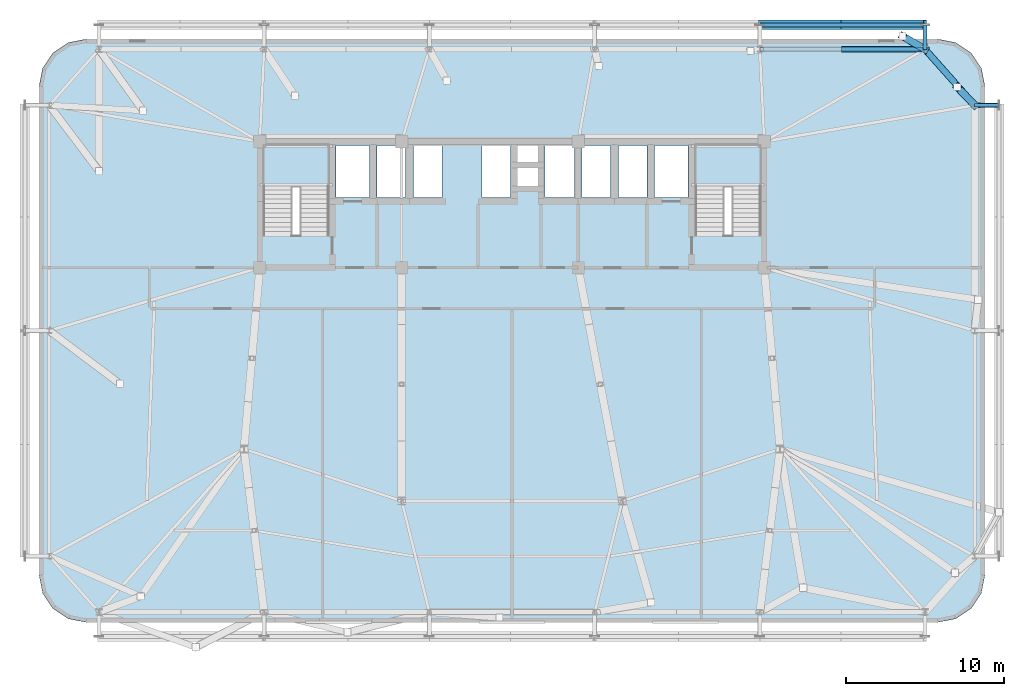
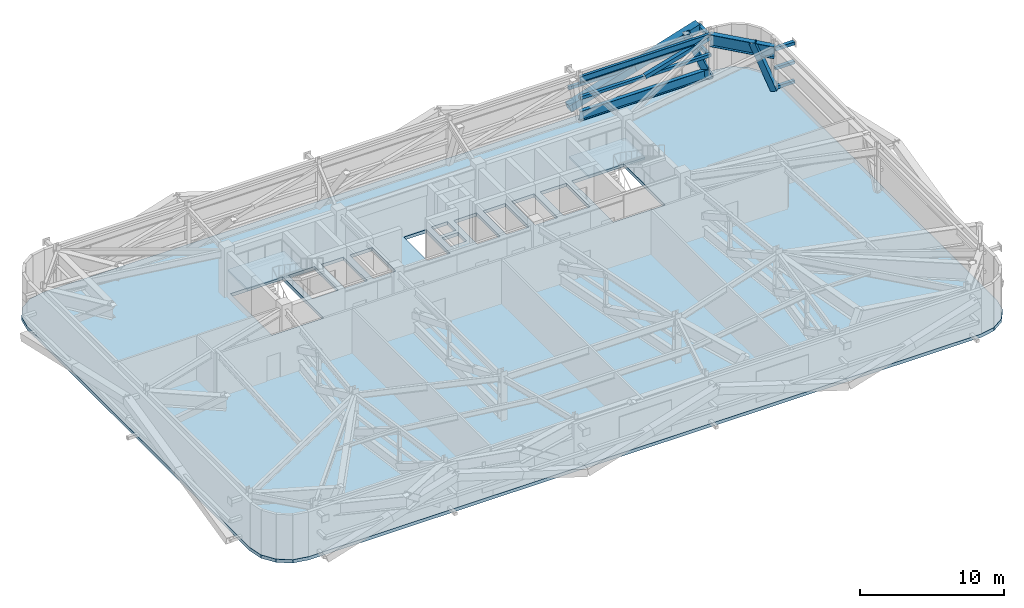
# One storey, part 12 of 24: 14 members, 3 slabs, 2 beams, 2 elements without a shape of their own.
"""IFC4 building model written with IfcOpenShell, lengths in metres."""

import ifcopenshell
import ifcopenshell.guid

model = None  # the IFC model being written
_history = None  # IfcOwnerHistory: only IFC2X3 demands one
_inside = {}  # id of a spatial element -> (the spatial element, [elements in it])
_under = {}  # id of a project, library or spatial element -> (it, [spatial elements below it])
_declared = {}  # id of a project -> (the project, [libraries it declares])
_typed = {}  # id of a type object -> (the type object, [elements of that type])
_made_of = {}  # id of a material, layer set ... -> (it, [elements and type objects made of it])


def new_model(schema):
    """Start an empty IFC model of exactly this schema.

    Asked for "IFC4X3", IfcOpenShell would pick the latest addendum, in which some entities
    have other attributes; the version numbers below select the first issue.
    IFC2X3 requires an IfcOwnerHistory on every rooted entity: one is made here for all.
    """
    global model, _history
    if schema == "IFC4X3":
        model = ifcopenshell.file(schema_version=(4, 3, 0, 0))
    else:
        model = ifcopenshell.file(schema=schema)
    _inside.clear()
    _under.clear()
    _declared.clear()
    _typed.clear()
    _made_of.clear()
    _history = None
    if model.schema == "IFC2X3":
        org = make("IfcOrganization", Name="unknown")
        user = make(
            "IfcPersonAndOrganization",
            ThePerson=make("IfcPerson", FamilyName="unknown"),
            TheOrganization=org,
        )
        app = make(
            "IfcApplication",
            ApplicationDeveloper=org,
            Version="unknown",
            ApplicationFullName="unknown",
            ApplicationIdentifier="unknown",
        )
        _history = make(
            "IfcOwnerHistory",
            OwningUser=user,
            OwningApplication=app,
            ChangeAction="ADDED",
            CreationDate=0,
        )
    return model


def make(cls, **values):
    """One entity of the class cls with the attributes given. An attribute that is None is left unset."""
    return model.create_entity(
        cls, **{name: value for name, value in values.items() if value is not None}
    )


def rooted(cls, **values):
    """An entity with a GlobalId (a new one), such as an element, a storey or a relation."""
    return make(cls, GlobalId=ifcopenshell.guid.new(), OwnerHistory=_history, **values)


def si_unit(unit_type, name, prefix=None):
    """IfcSIUnit, for example si_unit("LENGTHUNIT", "METRE", prefix="MILLI")."""
    return make("IfcSIUnit", UnitType=unit_type, Prefix=prefix, Name=name)


def assignment(units):
    """IfcUnitAssignment: the units of a project."""
    return None if units is None else make("IfcUnitAssignment", Units=units)


def point(xyz):
    """IfcCartesianPoint."""
    return None if xyz is None else make("IfcCartesianPoint", Coordinates=xyz)


def direction(xyz):
    """IfcDirection."""
    return None if xyz is None else make("IfcDirection", DirectionRatios=xyz)


def frame(location, z_axis=None, x_axis=None):
    """IfcAxis2Placement3D, a coordinate frame: its origin and axes. An axis left out is left unset."""
    return make(
        "IfcAxis2Placement3D",
        Location=point(location),
        Axis=direction(z_axis),
        RefDirection=direction(x_axis),
    )


def frame_2d(location, x_axis=None):
    """IfcAxis2Placement2D, a coordinate frame in the plane: its origin and x axis."""
    return make(
        "IfcAxis2Placement2D", Location=point(location), RefDirection=direction(x_axis)
    )


def origin():
    """The frame at (0, 0, 0) with its axes left unset."""
    return frame((0.0, 0.0, 0.0))


def origin_2d():
    """The frame at (0, 0) in the plane with its x axis left unset."""
    return frame_2d((0.0, 0.0))


def place(relative_to, where):
    """IfcLocalPlacement: puts the frame where relative to a parent placement (None: the world)."""
    return make(
        "IfcLocalPlacement", PlacementRelTo=relative_to, RelativePlacement=where
    )


def context(
    kind, dimensions, precision=None, world=None, true_north=None, identifier=None
):
    """IfcGeometricRepresentationContext, for example the 3D "Model" context."""
    return make(
        "IfcGeometricRepresentationContext",
        ContextIdentifier=identifier,
        ContextType=kind,
        CoordinateSpaceDimension=dimensions,
        Precision=precision,
        WorldCoordinateSystem=world,
        TrueNorth=true_north,
    )


def subcontext(parent, identifier, kind, view, scale=None):
    """IfcGeometricRepresentationSubContext, for example "Body" below "Model"."""
    return make(
        "IfcGeometricRepresentationSubContext",
        ContextIdentifier=identifier,
        ContextType=kind,
        ParentContext=parent,
        TargetScale=scale,
        TargetView=view,
    )


def project(units=None, contexts=None):
    """IfcProject with its units and contexts."""
    return rooted(
        "IfcProject",
        Name="project",
        RepresentationContexts=contexts,
        UnitsInContext=assignment(units),
    )


def spatial(cls, under=None, at=None, **own):
    """A site, building, storey or space (cls), placed at a placement, below another one or the project."""
    s = rooted(cls, ObjectPlacement=at, **own)
    if under is not None:
        _under.setdefault(under.id(), (under, []))[1].append(s)
    return s


def polyline(points):
    """IfcPolyline through the points."""
    return make("IfcPolyline", Points=[point(p) for p in points])


def profile(cls, at=None, kind="AREA", **sizes):
    """A parametric profile (cls). Its sizes go by their IFC names, for example OverallWidth=200.0."""
    return make(cls, ProfileType=kind, Position=at, **sizes)


def hollow_rectangle(**sizes):
    """IfcRectangleHollowProfileDef."""
    return profile("IfcRectangleHollowProfileDef", **sizes)


def i_section(**sizes):
    """IfcIShapeProfileDef."""
    return profile("IfcIShapeProfileDef", **sizes)


def outline(outer, holes=None, kind="AREA"):
    """IfcArbitraryClosedProfileDef: a profile drawn as a closed curve; with holes, ...WithVoids."""
    if holes is None:
        return make("IfcArbitraryClosedProfileDef", ProfileType=kind, OuterCurve=outer)
    return make(
        "IfcArbitraryProfileDefWithVoids",
        ProfileType=kind,
        OuterCurve=outer,
        InnerCurves=holes,
    )


def extrude(swept, where, along, depth):
    """IfcExtrudedAreaSolid: the profile swept, set in the frame where, extruded along a direction by depth."""
    return make(
        "IfcExtrudedAreaSolid",
        SweptArea=swept,
        Position=where,
        ExtrudedDirection=direction(along),
        Depth=depth,
    )


def shape(context_of_items, identifier, shape_type, items):
    """IfcShapeRepresentation: the items that make up one representation, for example the "Body"."""
    return make(
        "IfcShapeRepresentation",
        ContextOfItems=context_of_items,
        RepresentationIdentifier=identifier,
        RepresentationType=shape_type,
        Items=items,
    )


def source(mapping_origin, context_of_items, identifier, shape_type, items):
    """IfcRepresentationMap: a shape defined once, which mapped items show again and again."""
    return make(
        "IfcRepresentationMap",
        MappingOrigin=mapping_origin,
        MappedRepresentation=shape(context_of_items, identifier, shape_type, items),
    )


def transform(
    local_origin,
    x_axis=None,
    y_axis=None,
    z_axis=None,
    scale=None,
    scale2=None,
    scale3=None,
    uniform=True,
):
    """IfcCartesianTransformationOperator3D, or its non-uniform kind. x_axis, y_axis, z_axis: its Axis1, 2, 3."""
    if uniform:
        return make(
            "IfcCartesianTransformationOperator3D",
            Axis1=direction(x_axis),
            Axis2=direction(y_axis),
            LocalOrigin=point(local_origin),
            Scale=scale,
            Axis3=direction(z_axis),
        )
    return make(
        "IfcCartesianTransformationOperator3DnonUniform",
        Axis1=direction(x_axis),
        Axis2=direction(y_axis),
        LocalOrigin=point(local_origin),
        Scale=scale,
        Axis3=direction(z_axis),
        Scale2=scale2,
        Scale3=scale3,
    )


def mapped(mapping_source, mapping_target):
    """IfcMappedItem: shows the shape of a source again, moved by a transform."""
    return make(
        "IfcMappedItem", MappingSource=mapping_source, MappingTarget=mapping_target
    )


def material(Name=None, Category=None):
    """IfcMaterial."""
    return make("IfcMaterial", Name=Name, Category=Category)


def layer(
    of_material, thickness, ventilated=None, Name=None, Category=None, Priority=None
):
    """IfcMaterialLayer: one layer of a wall or slab, of a material (None: an air gap)."""
    return make(
        "IfcMaterialLayer",
        Material=of_material,
        LayerThickness=thickness,
        IsVentilated=ventilated,
        Name=Name,
        Category=Category,
        Priority=Priority,
    )


def layer_set(layers, Name=None):
    """IfcMaterialLayerSet."""
    return make("IfcMaterialLayerSet", MaterialLayers=layers, LayerSetName=Name)


def material_profile(
    of_material, cross_section, Name=None, Category=None, Priority=None
):
    """IfcMaterialProfile: a cross section and its material."""
    return make(
        "IfcMaterialProfile",
        Name=Name,
        Material=of_material,
        Profile=cross_section,
        Priority=Priority,
        Category=Category,
    )


def profile_set(profiles, Name=None, composite=None):
    """IfcMaterialProfileSet."""
    return make(
        "IfcMaterialProfileSet",
        Name=Name,
        MaterialProfiles=profiles,
        CompositeProfile=composite,
    )


def made_of(thing, what):
    """Note that an element or type object is made of a material, layer set ...; save() writes the relation."""
    if what is not None:
        _made_of.setdefault(what.id(), (what, []))[1].append(thing)
    return thing


def type_object(cls, material=None, **own):
    """A type object (cls), such as IfcWallType, which elements share."""
    return made_of(rooted(cls, **own), material)


def element(
    cls,
    number,
    at=None,
    inside=None,
    cuts=None,
    type_object=None,
    material=None,
    context=None,
    identifier="Body",
    shape_type=None,
    held_by="IfcProductDefinitionShape",
    body=None,
    shapes=None,
    **own,
):
    """One element of the class cls, such as IfcWall. Its Tag is "e" and its number.

    at: its placement. inside: the storey or other place that contains it. cuts: it is an
    opening in that element (IfcRelVoidsElement). A single representation is given by context,
    identifier, shape_type and body (its items); several are given by shapes. held_by: the class
    of the entity that holds the representations. save() writes the other relations.
    """
    e = rooted(cls, Tag="e%d" % number, ObjectPlacement=at, **own)
    if body is not None:
        shapes = [shape(context, identifier, shape_type, body)]
    if shapes is not None:
        e.Representation = make(held_by, Representations=shapes)
    if inside is not None:
        _inside.setdefault(inside.id(), (inside, []))[1].append(e)
    if cuts is not None:
        rooted(
            "IfcRelVoidsElement", RelatingBuildingElement=cuts, RelatedOpeningElement=e
        )
    if type_object is not None:
        _typed.setdefault(type_object.id(), (type_object, []))[1].append(e)
    return made_of(e, material)


def aggregate(whole, parts):
    """IfcRelAggregates: a whole, such as a stair, and the parts it consists of."""
    return rooted("IfcRelAggregates", RelatingObject=whole, RelatedObjects=parts)


def save(model, path):
    """Write the relations noted so far, then the file.

    IfcRelAggregates (storeys below a building ...), IfcRelContainedInSpatialStructure (elements
    in a storey), IfcRelDefinesByType, IfcRelAssociatesMaterial and IfcRelDeclares: one each for
    every whole, place, type object, material and project.
    """
    for whole, parts in _under.values():
        aggregate(whole, parts)
    for where, things in _inside.values():
        rooted(
            "IfcRelContainedInSpatialStructure",
            RelatedElements=things,
            RelatingStructure=where,
        )
    for kind, things in _typed.values():
        rooted("IfcRelDefinesByType", RelatedObjects=things, RelatingType=kind)
    for what, things in _made_of.values():
        rooted("IfcRelAssociatesMaterial", RelatedObjects=things, RelatingMaterial=what)
    for by, libraries in _declared.values():
        rooted("IfcRelDeclares", RelatingContext=by, RelatedDefinitions=libraries)
    model.write(path)


model = new_model("IFC4")

# Units and contexts
model_context = context("Model", 3, precision=1e-05, world=origin(), true_north=direction((0.0, 1.0)))
body_context = subcontext(model_context, "Body", "Model", "MODEL_VIEW")
ifc_project = project(units=[si_unit("LENGTHUNIT", "METRE"), si_unit("AREAUNIT", "SQUARE_METRE"), si_unit("VOLUMEUNIT", "CUBIC_METRE"), si_unit("PLANEANGLEUNIT", "RADIAN"), si_unit("MASSUNIT", "GRAM", prefix="KILO")], contexts=[model_context])

# Site, building, storey
site_placement = place(None, origin())
site = spatial("IfcSite", under=ifc_project, at=site_placement, CompositionType="ELEMENT")
building_placement = place(site_placement, origin())
building = spatial("IfcBuilding", under=site, at=building_placement, Name="Taldren Reach Tower", CompositionType="ELEMENT")
storey_placement = place(building_placement, frame((0.0, 0.0, 60.89990234375)))
storey = spatial("IfcBuildingStorey", under=building, at=storey_placement, Name="L18", CompositionType="ELEMENT", Elevation=60.89990234375)

# Beam
ifc_material_1 = material(Name="Steel Gr 350 (350PLUS)", Category="steel")
ifc_material_profile_1 = material_profile(ifc_material_1, i_section(OverallWidth=0.208984375, OverallDepth=0.528076171875, WebThickness=0.009521484375, FlangeThickness=0.01318359375, at=origin_2d()), Name="530UB82.0")
ifc_profile_set_1 = profile_set([ifc_material_profile_1], Name="Steel Gr 350 (350PLUS)")
beam_type_1 = type_object("IfcBeamType", Name="SP-UB530B", PredefinedType="SPANDREL", material=ifc_profile_set_1)
shared_shape_1 = source(origin(), body_context, "Body", "SweptSolid", [
    extrude(i_section(OverallWidth=0.208984375, OverallDepth=0.528076171875, WebThickness=0.009521484375, FlangeThickness=0.01318359375, at=origin_2d()), origin(), (0.0, 0.0, 1.0), 10.47998046875),
])
beam_1_placement = place(storey_placement, frame((61.199951171875, 37.85009765625, 3.51611328125), z_axis=(-1.0, 0.0, 0.0), x_axis=(0.0, -1.0, 0.0)))
element("IfcBeam", 1, at=beam_1_placement, inside=storey, type_object=beam_type_1, Name="Perimeter spandrel B1 N6-N5 L18", PredefinedType="SPANDREL", context=body_context, shape_type="MappedRepresentation", body=[
    mapped(shared_shape_1, transform((0.0, 0.0, 0.0), scale=1.0)),
])

# Members
ifc_material_2 = material(Name="Steel Gr 450 (C450L0)", Category="steel")
ifc_material_profile_2 = material_profile(ifc_material_2, hollow_rectangle(XDim=0.27490234375, YDim=0.27490234375, WallThickness=0.00927734375, at=origin_2d()), Name="275x275x9.3SHS")
ifc_profile_set_2 = profile_set([ifc_material_profile_2], Name="Steel Gr 450 (C450L0)")
member_type_1 = type_object("IfcMemberType", Name="MB-TIE273", PredefinedType="STRUT", material=ifc_profile_set_2)
shared_shape_2 = source(origin(), body_context, "Body", "SweptSolid", [
    extrude(hollow_rectangle(XDim=0.27490234375, YDim=0.27490234375, WallThickness=0.00927734375, at=origin_2d()), origin(), (0.0, 0.0, 1.0), 1.5498046875),
])
for number, where, z_axis, x_axis, name in (
    (2, (61.199951171875, 37.85009765625, 3.5), (0.0, 1.0, 0.0), (-1.0, 0.0, 0.0), "Exoskeleton diaphragm tie strut B1-N6 L18"),
    (3, (64.35009765625, 34.300048828125, 3.5), (1.0, 0.0, 0.0), (0.0, 1.0, 0.0), "Exoskeleton diaphragm tie strut B1-E3 L18"),
):
    element("IfcMember", number, at=place(storey_placement, frame(where, z_axis=z_axis, x_axis=x_axis)), inside=storey, type_object=member_type_1, Name=name, PredefinedType="STRUT", context=body_context, shape_type="MappedRepresentation", body=[
        mapped(shared_shape_2, transform((0.0, 0.0, 0.0), scale=1.0)),
    ])
ifc_material_3 = material(Name="Steel Gr 350 (C350L0)", Category="steel")
ifc_material_profile_3 = material_profile(ifc_material_3, hollow_rectangle(XDim=0.25, YDim=0.25, WallThickness=0.010009765625, at=origin_2d()), Name="250x250x10.0SHS")
ifc_profile_set_3 = profile_set([ifc_material_profile_3], Name="Steel Gr 350 (C350L0)")
member_type_2 = type_object("IfcMemberType", Name="MB-POST250", PredefinedType="POST", material=ifc_profile_set_3)
shared_shape_3 = source(origin(), body_context, "Body", "SweptSolid", [
    extrude(hollow_rectangle(XDim=0.25, YDim=0.25, WallThickness=0.010009765625, at=origin_2d()), origin(), (0.0, 0.0, 1.0), 10.47998046875),
])
for number, where, z_axis, x_axis, name in (
    (4, (50.719970703125, 37.85009765625, 1.955078125), (1.0, 0.0, 0.0), (0.0, 1.0, 0.0), "Belt Truss Transfer Mid Chord N5 L18"),
    (5, (50.719970703125, 39.39990234375, 1.860107421875), (1.0, 0.0, 0.0), (0.0, 1.0, 0.0), "Exoskeleton mid-height ring chord B1-N5 L18"),
):
    element("IfcMember", number, at=place(storey_placement, frame(where, z_axis=z_axis, x_axis=x_axis)), inside=storey, type_object=member_type_2, Name=name, PredefinedType="POST", context=body_context, shape_type="MappedRepresentation", body=[
        mapped(shared_shape_3, transform((0.0, 0.0, 0.0), scale=1.0)),
    ])
shared_shape_4 = source(origin(), body_context, "Body", "SweptSolid", [
    extrude(hollow_rectangle(XDim=0.25, YDim=0.25, WallThickness=0.010009765625, at=origin_2d()), origin(), (0.0, 0.0, 1.0), 1.5498046875),
])
for number, where, z_axis, x_axis, name in (
    (6, (61.199951171875, 37.85009765625, 0.22021484375), (0.0, 1.0, 0.0), (-1.0, 0.0, 0.0), "Exoskeleton base diaphragm tie strut B1-N6 L18"),
    (7, (64.35009765625, 34.300048828125, 0.22021484375), (1.0, 0.0, 0.0), (0.0, 1.0, 0.0), "Exoskeleton base diaphragm tie strut B1-E3 L18"),
    (8, (61.199951171875, 37.85009765625, 1.860107421875), (0.0, 1.0, 0.0), (-1.0, 0.0, 0.0), "Exoskeleton mid-tier diaphragm tie B1-N6 L18"),
    (9, (64.35009765625, 34.300048828125, 1.860107421875), (1.0, 0.0, 0.0), (0.0, 1.0, 0.0), "Exoskeleton mid-tier diaphragm tie B1-E3 L18"),
):
    element("IfcMember", number, at=place(storey_placement, frame(where, z_axis=z_axis, x_axis=x_axis)), inside=storey, type_object=member_type_2, Name=name, PredefinedType="POST", context=body_context, shape_type="MappedRepresentation", body=[
        mapped(shared_shape_4, transform((0.0, 0.0, 0.0), scale=1.0)),
    ])

# Beam
ifc_material_profile_4 = material_profile(ifc_material_1, i_section(OverallWidth=0.39990234375, OverallDepth=1.02392578125, WebThickness=0.01611328125, FlangeThickness=0.031982421875, at=origin_2d()), Name="1000WB322")
ifc_profile_set_4 = profile_set([ifc_material_profile_4], Name="Steel Gr 350 (350PLUS)")
beam_type_2 = type_object("IfcBeamType", Name="BM-WB1000", PredefinedType="BEAM", material=ifc_profile_set_4)
shared_shape_5 = source(origin(), body_context, "Body", "SweptSolid", [
    extrude(i_section(OverallWidth=0.39990234375, OverallDepth=1.02392578125, WebThickness=0.01611328125, FlangeThickness=0.031982421875, at=origin_2d()), origin(), (0.0, 0.0, 1.0), 4.74609375),
])
beam_2_placement = place(storey_placement, frame((64.35009765625, 34.300048828125, 3.26806640625), z_axis=(-0.663721843779, 0.747979487747, 0.0), x_axis=(-0.747979487747, -0.663721843779, 0.0)))
element("IfcBeam", 10, at=beam_2_placement, inside=storey, type_object=beam_type_2, Name="Belt Truss Transfer Tie Girder TG-B2-N6B on L18", PredefinedType="SPANDREL", context=body_context, shape_type="MappedRepresentation", body=[
    mapped(shared_shape_5, transform((0.0, 0.0, 0.0), scale=1.0)),
])

# Members
ifc_material_profile_5 = material_profile(ifc_material_2, hollow_rectangle(XDim=0.4599609375, YDim=0.4599609375, WallThickness=0.01611328125, at=origin_2d()), Name="460x460x16.0SHS")
ifc_profile_set_5 = profile_set([ifc_material_profile_5], Name="Steel Gr 450 (C450L0)")
member_type_3 = type_object("IfcMemberType", Name="MB-EXO457", PredefinedType="BRACE", material=ifc_profile_set_5)
shared_shape_6 = source(origin(), body_context, "Body", "SweptSolid", [
    extrude(hollow_rectangle(XDim=0.4599609375, YDim=0.4599609375, WallThickness=0.01611328125, at=origin_2d()), origin(), (0.0, 0.0, 1.0), 4.10888671875),
])
member_1_placement = place(storey_placement, frame((61.199951171875, 37.85009765625, 0.02001953125), z_axis=(-0.3490202375, 0.201961148666, 0.915093748337), x_axis=(-0.500844580232, -0.86553723574, 0.0)))
element("IfcMember", 11, at=member_1_placement, inside=storey, type_object=member_type_3, Name="Outrigger Belt Truss Transfer Strut TS-B2-N6 L18", PredefinedType="BRACE", context=body_context, shape_type="MappedRepresentation", body=[
    mapped(shared_shape_6, transform((0.0, 0.0, 0.0), scale=1.0)),
])
shared_shape_7 = source(origin(), body_context, "Body", "SweptSolid", [
    extrude(hollow_rectangle(XDim=0.4599609375, YDim=0.4599609375, WallThickness=0.01611328125, at=origin_2d()), origin(), (0.0, 0.0, 1.0), 4.0849609375),
])
member_2_placement = place(storey_placement, frame((64.35009765625, 34.300048828125, 0.02001953125), z_axis=(-0.269967415307, 0.282578246529, 0.920471145262), x_axis=(-0.723056889428, -0.690788487636, 0.0)))
element("IfcMember", 12, at=member_2_placement, inside=storey, type_object=member_type_3, Name="Outrigger Belt Truss Transfer Strut TS-B2-E3 L18", PredefinedType="BRACE", context=body_context, shape_type="MappedRepresentation", body=[
    mapped(shared_shape_7, transform((0.0, 0.0, 0.0), scale=1.0)),
])
ifc_material_profile_6 = material_profile(ifc_material_1, i_section(OverallWidth=0.300048828125, OverallDepth=0.81591796875, WebThickness=0.011962890625, FlangeThickness=0.02392578125, at=origin_2d()), Name="800WB192")
ifc_profile_set_6 = profile_set([ifc_material_profile_6], Name="Steel Gr 350 (350PLUS)")
member_type_4 = type_object("IfcMemberType", Name="MB-CH800", PredefinedType="CHORD", material=ifc_profile_set_6)
shared_shape_8 = source(origin(), body_context, "Body", "SweptSolid", [
    extrude(i_section(OverallWidth=0.300048828125, OverallDepth=0.81591796875, WebThickness=0.011962890625, FlangeThickness=0.02392578125, at=origin_2d()), origin(), (0.0, 0.0, 1.0), 10.47998046875),
])
member_3_placement = place(storey_placement, frame((50.719970703125, 37.85009765625, 0.4501953125), z_axis=(1.0, 0.0, 0.0), x_axis=(0.0, 1.0, 0.0)))
element("IfcMember", 13, at=member_3_placement, inside=storey, type_object=member_type_4, Name="Belt Truss Transfer Bottom Chord N5 L18", PredefinedType="CHORD", context=body_context, shape_type="MappedRepresentation", body=[
    mapped(shared_shape_8, transform((0.0, 0.0, 0.0), scale=1.0)),
])
ifc_material_profile_7 = material_profile(ifc_material_2, hollow_rectangle(XDim=0.324951171875, YDim=0.324951171875, WallThickness=0.0126953125, at=origin_2d()), Name="325x325x12.7SHS")
ifc_profile_set_7 = profile_set([ifc_material_profile_7], Name="Steel Gr 450 (C450L0)")
member_type_5 = type_object("IfcMemberType", Name="MB-BR324", PredefinedType="BRACE", material=ifc_profile_set_7)
shared_shape_9 = source(origin(), body_context, "Body", "SweptSolid", [
    extrude(hollow_rectangle(XDim=0.324951171875, YDim=0.324951171875, WallThickness=0.0126953125, at=origin_2d()), origin(), (0.0, 0.0, 1.0), 5.451904296875),
])
member_4_placement = place(storey_placement, frame((55.9599609375, 37.85009765625, 1.955078125), z_axis=(0.961136017712, 0.0, 0.27607527136), x_axis=(0.0, 1.0, 0.0)))
element("IfcMember", 14, at=member_4_placement, inside=storey, type_object=member_type_5, Name="Belt Truss Transfer Diagonal N5 L18", PredefinedType="BRACE", context=body_context, shape_type="MappedRepresentation", body=[
    mapped(shared_shape_9, transform((0.0, 0.0, 0.0), scale=1.0)),
])
ifc_material_profile_8 = material_profile(ifc_material_2, hollow_rectangle(XDim=0.614990234375, YDim=0.614990234375, WallThickness=0.02490234375, at=origin_2d()), Name="615x615x25.0SHS")
ifc_profile_set_8 = profile_set([ifc_material_profile_8], Name="Steel Gr 450 (C450L0)")
member_type_6 = type_object("IfcMemberType", Name="MB-EXO610", PredefinedType="BRACE", material=ifc_profile_set_8)
shared_shape_10 = source(origin(), body_context, "Body", "SweptSolid", [
    extrude(hollow_rectangle(XDim=0.614990234375, YDim=0.614990234375, WallThickness=0.02490234375, at=origin_2d()), origin(), (0.0, 0.0, 1.0), 5.49072265625),
])
for number, where, z_axis, x_axis, name in (
    (15, (50.719970703125, 39.39990234375, 0.22021484375), (0.954355677655, 0.0, 0.298672463626), (0.0, 1.0, 0.0), "Exoskeleton Diagrid Brace B1-N5 L18"),
    (16, (55.9599609375, 39.39990234375, 1.860107421875), (0.954355677655, 0.0, 0.298672463626), (0.0, 1.0, 0.0), "Exoskeleton Diagrid Brace B1-N5 L18"),
):
    element("IfcMember", number, at=place(storey_placement, frame(where, z_axis=z_axis, x_axis=x_axis)), inside=storey, type_object=member_type_6, Name=name, PredefinedType="BRACE", context=body_context, shape_type="MappedRepresentation", body=[
        mapped(shared_shape_10, transform((0.0, 0.0, 0.0), scale=1.0)),
    ])

# Slab
ifc_material_4 = material(Name="Concrete S50 (50 MPa)", Category="concrete")
ifc_layer_1 = layer(ifc_material_4, 0.280029296875)
ifc_layer_set_1 = layer_set([ifc_layer_1], Name="Concrete S50 (50 MPa)")
slab_type_1 = type_object("IfcSlabType", Name="SL-FLR-280", PredefinedType="FLOOR", material=ifc_layer_set_1)
slab_1_placement = place(storey_placement, frame((0.0, 0.0, -0.27978515625)))
element("IfcSlab", 17, at=slab_1_placement, inside=storey, type_object=slab_type_1, Name="Suspended floor slab L18", PredefinedType="FLOOR", context=body_context, shape_type="SweptSolid", body=[
    extrude(outline(polyline([(62.0, 1.5), (63.14794921875, 1.728271484375), (64.121337890625, 2.378662109375), (64.771728515625, 3.35205078125), (65.0, 4.5), (65.0, 35.5), (64.771728515625, 36.64794921875), (64.121337890625, 37.621337890625), (63.14794921875, 38.271728515625), (62.0, 38.5), (8.0, 38.5), (6.85205078125, 38.271728515625), (5.878662109375, 37.621337890625), (5.228271484375, 36.64794921875), (5.0, 35.5), (5.0, 4.5), (5.228271484375, 3.35205078125), (5.878662109375, 2.378662109375), (6.85205078125, 1.728271484375), (8.0, 1.5), (62.0, 1.5)]), holes=[polyline([(19.219970703125, 26.050048828125), (23.3798828125, 26.050048828125), (23.3798828125, 31.820068359375), (19.219970703125, 31.820068359375), (19.219970703125, 26.050048828125)]), polyline([(46.6201171875, 26.050048828125), (50.780029296875, 26.050048828125), (50.780029296875, 31.820068359375), (46.6201171875, 31.820068359375), (46.6201171875, 26.050048828125)]), polyline([(23.85009765625, 28.449951171875), (25.949951171875, 28.449951171875), (25.949951171875, 31.75), (23.85009765625, 31.75), (23.85009765625, 28.449951171875)]), polyline([(44.050048828125, 28.449951171875), (46.14990234375, 28.449951171875), (46.14990234375, 31.75), (44.050048828125, 31.75), (44.050048828125, 28.449951171875)]), polyline([(26.449951171875, 28.449951171875), (28.25, 28.449951171875), (28.25, 31.75), (26.449951171875, 31.75), (26.449951171875, 28.449951171875)]), polyline([(28.75, 28.449951171875), (30.550048828125, 28.449951171875), (30.550048828125, 31.75), (28.75, 31.75), (28.75, 28.449951171875)]), polyline([(33.10009765625, 28.449951171875), (34.89990234375, 28.449951171875), (34.89990234375, 31.75), (33.10009765625, 31.75), (33.10009765625, 28.449951171875)]), polyline([(37.10009765625, 28.449951171875), (38.949951171875, 28.449951171875), (38.949951171875, 31.75), (37.10009765625, 31.75), (37.10009765625, 28.449951171875)]), polyline([(39.449951171875, 28.449951171875), (41.25, 28.449951171875), (41.25, 31.75), (39.449951171875, 31.75), (39.449951171875, 28.449951171875)]), polyline([(41.75, 28.449951171875), (43.550048828125, 28.449951171875), (43.550048828125, 31.75), (41.75, 31.75), (41.75, 28.449951171875)]), polyline([(35.35009765625, 30.64990234375), (36.64990234375, 30.64990234375), (36.64990234375, 31.85009765625), (35.35009765625, 31.85009765625), (35.35009765625, 30.64990234375)]), polyline([(35.35009765625, 29.14990234375), (36.64990234375, 29.14990234375), (36.64990234375, 30.35009765625), (35.35009765625, 30.35009765625), (35.35009765625, 29.14990234375)])]), origin(), (0.0, 0.0, 1.0), 0.27978515625),
])

# Stair, slab
stair_type = type_object("IfcStairType", Name="ST-HT-420", PredefinedType="HALF_TURN_STAIR", material=ifc_material_4)
stair_1_placement = place(storey_placement, origin())
stair_1 = element("IfcStair", 18, at=stair_1_placement, inside=storey, type_object=stair_type, Name="Fire-isolated exit stair ST1 L18", PredefinedType="HALF_TURN_STAIR")
ifc_layer_2 = layer(ifc_material_4, 0.179931640625)
ifc_layer_set_2 = layer_set([ifc_layer_2], Name="Concrete S50 (50 MPa)")
slab_type_2 = type_object("IfcSlabType", Name="SL-LAND-180", PredefinedType="LANDING", material=ifc_layer_set_2)
slab_2_placement = place(storey_placement, frame((0.0, 0.0, 1.920166015625)))
slab_2 = element("IfcSlab", 19, at=slab_2_placement, type_object=slab_type_2, Name="ST1 landing 1", PredefinedType="LANDING", context=body_context, shape_type="SweptSolid", body=[
    extrude(outline(polyline([(19.0400390625, 29.135009765625), (23.56005859375, 29.135009765625), (23.56005859375, 31.8701171875), (19.0400390625, 31.8701171875), (19.0400390625, 29.135009765625)])), origin(), (0.0, 0.0, 1.0), 0.179931640625),
])
aggregate(stair_1, [slab_2])

stair_2_placement = place(storey_placement, origin())
stair_2 = element("IfcStair", 20, at=stair_2_placement, inside=storey, type_object=stair_type, Name="Fire-isolated exit stair ST2 L18", PredefinedType="HALF_TURN_STAIR")
slab_3_placement = place(storey_placement, frame((0.0, 0.0, 1.920166015625)))
slab_3 = element("IfcSlab", 21, at=slab_3_placement, type_object=slab_type_2, Name="ST2 landing 1", PredefinedType="LANDING", context=body_context, shape_type="SweptSolid", body=[
    extrude(outline(polyline([(46.43994140625, 29.135009765625), (50.9599609375, 29.135009765625), (50.9599609375, 31.8701171875), (46.43994140625, 31.8701171875), (46.43994140625, 29.135009765625)])), origin(), (0.0, 0.0, 1.0), 0.179931640625),
])
aggregate(stair_2, [slab_3])

save(model, "model.ifc")
